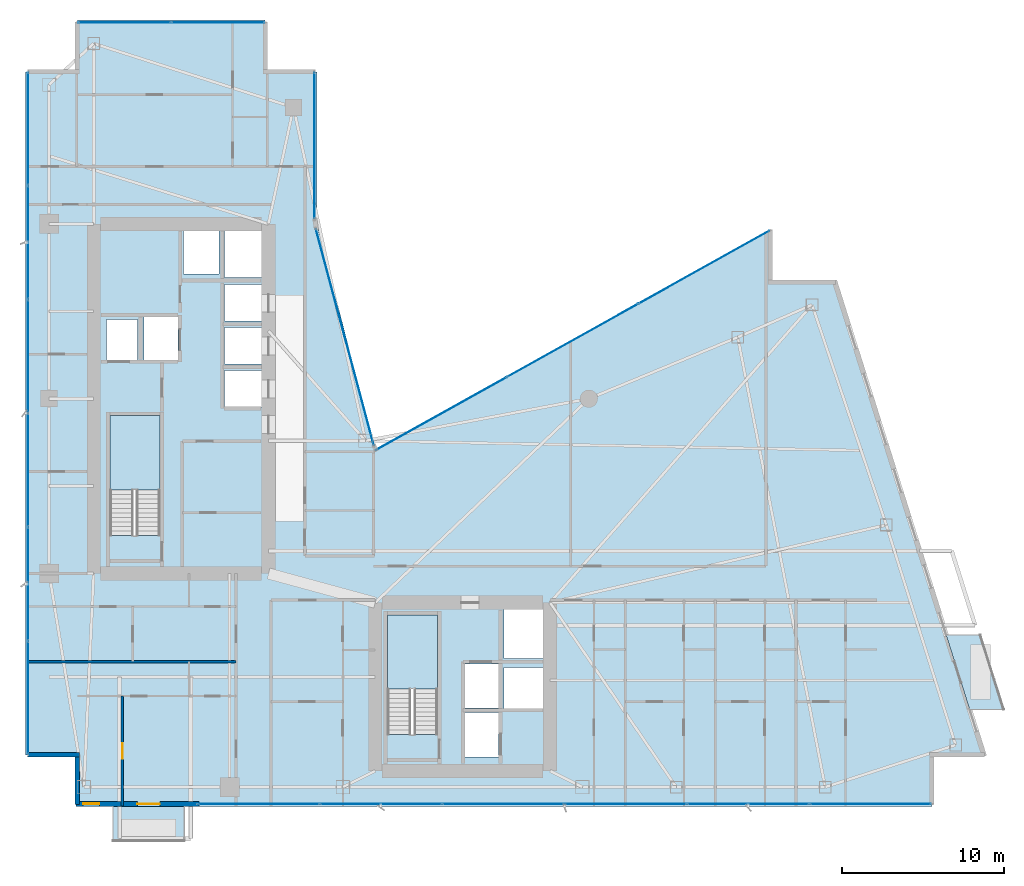
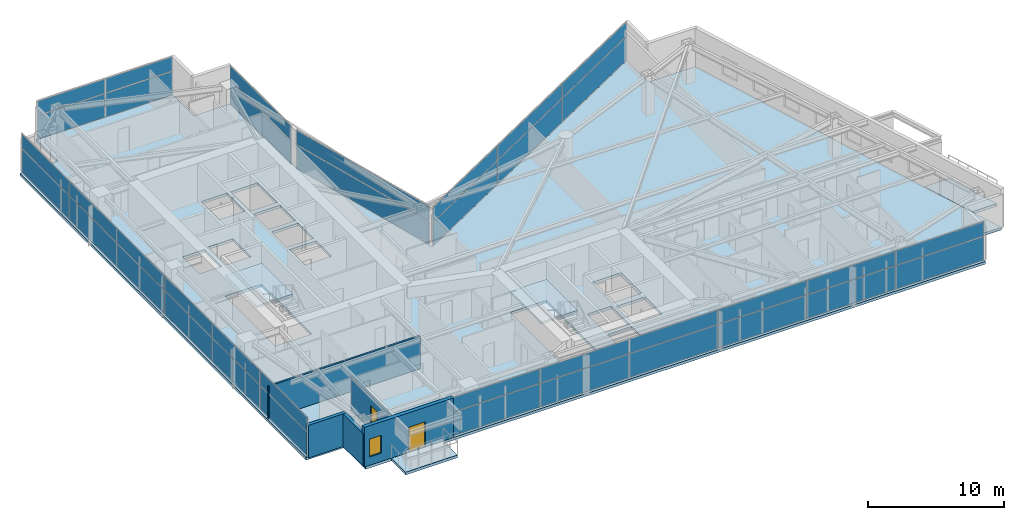
# One storey, part 21 of 29: 38 plates, 5 slabs, 5 walls, 2 doors, 1 window, 3 openings, 8 elements without a shape of their own.
"""IFC4 building model written with IfcOpenShell, lengths in metres."""

import ifcopenshell
import ifcopenshell.guid

model = None  # the IFC model being written
_history = None  # IfcOwnerHistory: only IFC2X3 demands one
_inside = {}  # id of a spatial element -> (the spatial element, [elements in it])
_under = {}  # id of a project, library or spatial element -> (it, [spatial elements below it])
_declared = {}  # id of a project -> (the project, [libraries it declares])
_typed = {}  # id of a type object -> (the type object, [elements of that type])
_made_of = {}  # id of a material, layer set ... -> (it, [elements and type objects made of it])


def new_model(schema):
    """Start an empty IFC model of exactly this schema.

    Asked for "IFC4X3", IfcOpenShell would pick the latest addendum, in which some entities
    have other attributes; the version numbers below select the first issue.
    IFC2X3 requires an IfcOwnerHistory on every rooted entity: one is made here for all.
    """
    global model, _history
    if schema == "IFC4X3":
        model = ifcopenshell.file(schema_version=(4, 3, 0, 0))
    else:
        model = ifcopenshell.file(schema=schema)
    _inside.clear()
    _under.clear()
    _declared.clear()
    _typed.clear()
    _made_of.clear()
    _history = None
    if model.schema == "IFC2X3":
        org = make("IfcOrganization", Name="unknown")
        user = make(
            "IfcPersonAndOrganization",
            ThePerson=make("IfcPerson", FamilyName="unknown"),
            TheOrganization=org,
        )
        app = make(
            "IfcApplication",
            ApplicationDeveloper=org,
            Version="unknown",
            ApplicationFullName="unknown",
            ApplicationIdentifier="unknown",
        )
        _history = make(
            "IfcOwnerHistory",
            OwningUser=user,
            OwningApplication=app,
            ChangeAction="ADDED",
            CreationDate=0,
        )
    return model


def make(cls, **values):
    """One entity of the class cls with the attributes given. An attribute that is None is left unset."""
    return model.create_entity(
        cls, **{name: value for name, value in values.items() if value is not None}
    )


def rooted(cls, **values):
    """An entity with a GlobalId (a new one), such as an element, a storey or a relation."""
    return make(cls, GlobalId=ifcopenshell.guid.new(), OwnerHistory=_history, **values)


def si_unit(unit_type, name, prefix=None):
    """IfcSIUnit, for example si_unit("LENGTHUNIT", "METRE", prefix="MILLI")."""
    return make("IfcSIUnit", UnitType=unit_type, Prefix=prefix, Name=name)


def assignment(units):
    """IfcUnitAssignment: the units of a project."""
    return None if units is None else make("IfcUnitAssignment", Units=units)


def point(xyz):
    """IfcCartesianPoint."""
    return None if xyz is None else make("IfcCartesianPoint", Coordinates=xyz)


def direction(xyz):
    """IfcDirection."""
    return None if xyz is None else make("IfcDirection", DirectionRatios=xyz)


def frame(location, z_axis=None, x_axis=None):
    """IfcAxis2Placement3D, a coordinate frame: its origin and axes. An axis left out is left unset."""
    return make(
        "IfcAxis2Placement3D",
        Location=point(location),
        Axis=direction(z_axis),
        RefDirection=direction(x_axis),
    )


def frame_2d(location, x_axis=None):
    """IfcAxis2Placement2D, a coordinate frame in the plane: its origin and x axis."""
    return make(
        "IfcAxis2Placement2D", Location=point(location), RefDirection=direction(x_axis)
    )


def origin():
    """The frame at (0, 0, 0) with its axes left unset."""
    return frame((0.0, 0.0, 0.0))


def origin_2d():
    """The frame at (0, 0) in the plane with its x axis left unset."""
    return frame_2d((0.0, 0.0))


def place(relative_to, where):
    """IfcLocalPlacement: puts the frame where relative to a parent placement (None: the world)."""
    return make(
        "IfcLocalPlacement", PlacementRelTo=relative_to, RelativePlacement=where
    )


def context(
    kind, dimensions, precision=None, world=None, true_north=None, identifier=None
):
    """IfcGeometricRepresentationContext, for example the 3D "Model" context."""
    return make(
        "IfcGeometricRepresentationContext",
        ContextIdentifier=identifier,
        ContextType=kind,
        CoordinateSpaceDimension=dimensions,
        Precision=precision,
        WorldCoordinateSystem=world,
        TrueNorth=true_north,
    )


def subcontext(parent, identifier, kind, view, scale=None):
    """IfcGeometricRepresentationSubContext, for example "Body" below "Model"."""
    return make(
        "IfcGeometricRepresentationSubContext",
        ContextIdentifier=identifier,
        ContextType=kind,
        ParentContext=parent,
        TargetScale=scale,
        TargetView=view,
    )


def project(units=None, contexts=None):
    """IfcProject with its units and contexts."""
    return rooted(
        "IfcProject",
        Name="project",
        RepresentationContexts=contexts,
        UnitsInContext=assignment(units),
    )


def spatial(cls, under=None, at=None, **own):
    """A site, building, storey or space (cls), placed at a placement, below another one or the project."""
    s = rooted(cls, ObjectPlacement=at, **own)
    if under is not None:
        _under.setdefault(under.id(), (under, []))[1].append(s)
    return s


def polyline(points):
    """IfcPolyline through the points."""
    return make("IfcPolyline", Points=[point(p) for p in points])


def profile(cls, at=None, kind="AREA", **sizes):
    """A parametric profile (cls). Its sizes go by their IFC names, for example OverallWidth=200.0."""
    return make(cls, ProfileType=kind, Position=at, **sizes)


def rectangle(**sizes):
    """IfcRectangleProfileDef."""
    return profile("IfcRectangleProfileDef", **sizes)


def outline(outer, holes=None, kind="AREA"):
    """IfcArbitraryClosedProfileDef: a profile drawn as a closed curve; with holes, ...WithVoids."""
    if holes is None:
        return make("IfcArbitraryClosedProfileDef", ProfileType=kind, OuterCurve=outer)
    return make(
        "IfcArbitraryProfileDefWithVoids",
        ProfileType=kind,
        OuterCurve=outer,
        InnerCurves=holes,
    )


def extrude(swept, where, along, depth):
    """IfcExtrudedAreaSolid: the profile swept, set in the frame where, extruded along a direction by depth."""
    return make(
        "IfcExtrudedAreaSolid",
        SweptArea=swept,
        Position=where,
        ExtrudedDirection=direction(along),
        Depth=depth,
    )


def shape(context_of_items, identifier, shape_type, items):
    """IfcShapeRepresentation: the items that make up one representation, for example the "Body"."""
    return make(
        "IfcShapeRepresentation",
        ContextOfItems=context_of_items,
        RepresentationIdentifier=identifier,
        RepresentationType=shape_type,
        Items=items,
    )


def material(Name=None, Category=None):
    """IfcMaterial."""
    return make("IfcMaterial", Name=Name, Category=Category)


def layer(
    of_material, thickness, ventilated=None, Name=None, Category=None, Priority=None
):
    """IfcMaterialLayer: one layer of a wall or slab, of a material (None: an air gap)."""
    return make(
        "IfcMaterialLayer",
        Material=of_material,
        LayerThickness=thickness,
        IsVentilated=ventilated,
        Name=Name,
        Category=Category,
        Priority=Priority,
    )


def layer_set(layers, Name=None):
    """IfcMaterialLayerSet."""
    return make("IfcMaterialLayerSet", MaterialLayers=layers, LayerSetName=Name)


def made_of(thing, what):
    """Note that an element or type object is made of a material, layer set ...; save() writes the relation."""
    if what is not None:
        _made_of.setdefault(what.id(), (what, []))[1].append(thing)
    return thing


def type_object(cls, material=None, **own):
    """A type object (cls), such as IfcWallType, which elements share."""
    return made_of(rooted(cls, **own), material)


def element(
    cls,
    number,
    at=None,
    inside=None,
    cuts=None,
    type_object=None,
    material=None,
    context=None,
    identifier="Body",
    shape_type=None,
    held_by="IfcProductDefinitionShape",
    body=None,
    shapes=None,
    **own,
):
    """One element of the class cls, such as IfcWall. Its Tag is "e" and its number.

    at: its placement. inside: the storey or other place that contains it. cuts: it is an
    opening in that element (IfcRelVoidsElement). A single representation is given by context,
    identifier, shape_type and body (its items); several are given by shapes. held_by: the class
    of the entity that holds the representations. save() writes the other relations.
    """
    e = rooted(cls, Tag="e%d" % number, ObjectPlacement=at, **own)
    if body is not None:
        shapes = [shape(context, identifier, shape_type, body)]
    if shapes is not None:
        e.Representation = make(held_by, Representations=shapes)
    if inside is not None:
        _inside.setdefault(inside.id(), (inside, []))[1].append(e)
    if cuts is not None:
        rooted(
            "IfcRelVoidsElement", RelatingBuildingElement=cuts, RelatedOpeningElement=e
        )
    if type_object is not None:
        _typed.setdefault(type_object.id(), (type_object, []))[1].append(e)
    return made_of(e, material)


def fill(opening, filler):
    """IfcRelFillsElement: the door or window that sits in an opening."""
    return rooted(
        "IfcRelFillsElement",
        RelatingOpeningElement=opening,
        RelatedBuildingElement=filler,
    )


def aggregate(whole, parts):
    """IfcRelAggregates: a whole, such as a stair, and the parts it consists of."""
    return rooted("IfcRelAggregates", RelatingObject=whole, RelatedObjects=parts)


def save(model, path):
    """Write the relations noted so far, then the file.

    IfcRelAggregates (storeys below a building ...), IfcRelContainedInSpatialStructure (elements
    in a storey), IfcRelDefinesByType, IfcRelAssociatesMaterial and IfcRelDeclares: one each for
    every whole, place, type object, material and project.
    """
    for whole, parts in _under.values():
        aggregate(whole, parts)
    for where, things in _inside.values():
        rooted(
            "IfcRelContainedInSpatialStructure",
            RelatedElements=things,
            RelatingStructure=where,
        )
    for kind, things in _typed.values():
        rooted("IfcRelDefinesByType", RelatedObjects=things, RelatingType=kind)
    for what, things in _made_of.values():
        rooted("IfcRelAssociatesMaterial", RelatedObjects=things, RelatingMaterial=what)
    for by, libraries in _declared.values():
        rooted("IfcRelDeclares", RelatingContext=by, RelatedDefinitions=libraries)
    model.write(path)


model = new_model("IFC4")

# Units and contexts
model_context = context("Model", 3, precision=1e-05, world=origin(), true_north=direction((0.0, 1.0)))
body_context = subcontext(model_context, "Body", "Model", "MODEL_VIEW")
ifc_project = project(units=[si_unit("LENGTHUNIT", "METRE"), si_unit("AREAUNIT", "SQUARE_METRE"), si_unit("VOLUMEUNIT", "CUBIC_METRE"), si_unit("PLANEANGLEUNIT", "RADIAN"), si_unit("MASSUNIT", "GRAM", prefix="KILO")], contexts=[model_context])

# Site, building, storey
site_placement = place(None, origin())
site = spatial("IfcSite", under=ifc_project, at=site_placement, CompositionType="ELEMENT")
building_placement = place(site_placement, origin())
building = spatial("IfcBuilding", under=site, at=building_placement, Name="Calvorn Quay Hotel", CompositionType="ELEMENT")
storey_placement = place(building_placement, frame((0.0, 0.0, 171.300048828125)))
storey = spatial("IfcBuildingStorey", under=building, at=storey_placement, Name="L42", CompositionType="ELEMENT", Elevation=171.300048828125)

# Curtain wall, plates
ifc_material_1 = material(Name="Pale Anodised Aluminium and Low-E Glass", Category="aluminium")
ifc_layer_1 = layer(ifc_material_1, 0.219970703125)
ifc_layer_set_1 = layer_set([ifc_layer_1], Name="CW-SYS-Z2")
curtain_wall_type = type_object("IfcCurtainWallType", Name="CW-SYS-Z2", PredefinedType="NOTDEFINED", material=ifc_layer_set_1)
curtain_wall_1_placement = place(storey_placement, origin())
curtain_wall_1 = element("IfcCurtainWall", 1, at=curtain_wall_1_placement, inside=storey, type_object=curtain_wall_type, Name="Tower West Curtain Wall (L42)", PredefinedType="NOTDEFINED")
ifc_material_2 = material(Name="Low-E Laminated Double Glazing", Category="glass")
ifc_layer_2 = layer(ifc_material_2, 0.028076171875)
ifc_layer_set_2 = layer_set([ifc_layer_2], Name="CW-SYS-Z2-PAN")
plate_type = type_object("IfcPlateType", Name="CW-SYS-Z2-PAN", PredefinedType="CURTAIN_PANEL", material=ifc_layer_set_2)
plate_1_placement = place(storey_placement, frame((0.14990234375, 9.131591796875, 0.06005859375), z_axis=(0.0, 0.0, 1.0), x_axis=(0.0, 1.0, 0.0)))
plate_1 = element("IfcPlate", 2, at=plate_1_placement, type_object=plate_type, Name="CW-L42-W panel 1.1", PredefinedType="CURTAIN_PANEL", context=body_context, shape_type="SweptSolid", body=[
    extrude(rectangle(XDim=6.943359375, YDim=0.028076171875, at=origin_2d()), origin(), (0.0, 0.0, 1.0), 2.110107421875),
])
plate_2_placement = place(storey_placement, frame((0.14990234375, 9.131591796875, 2.22998046875), z_axis=(0.0, 0.0, 1.0), x_axis=(0.0, 1.0, 0.0)))
plate_2 = element("IfcPlate", 3, at=plate_2_placement, type_object=plate_type, Name="CW-L42-W panel 1.2", PredefinedType="CURTAIN_PANEL", context=body_context, shape_type="SweptSolid", body=[
    extrude(rectangle(XDim=6.943359375, YDim=0.028076171875, at=origin_2d()), origin(), (0.0, 0.0, 1.0), 1.27001953125),
])
plate_3_placement = place(storey_placement, frame((0.14990234375, 16.14990234375, 0.06005859375), z_axis=(0.0, 0.0, 1.0), x_axis=(0.0, 1.0, 0.0)))
plate_3 = element("IfcPlate", 4, at=plate_3_placement, type_object=plate_type, Name="CW-L42-W panel 2.1", PredefinedType="CURTAIN_PANEL", context=body_context, shape_type="SweptSolid", body=[
    extrude(rectangle(XDim=6.973388671875, YDim=0.028076171875, at=origin_2d()), origin(), (0.0, 0.0, 1.0), 2.110107421875),
])
plate_4_placement = place(storey_placement, frame((0.14990234375, 16.14990234375, 2.22998046875), z_axis=(0.0, 0.0, 1.0), x_axis=(0.0, 1.0, 0.0)))
plate_4 = element("IfcPlate", 5, at=plate_4_placement, type_object=plate_type, Name="CW-L42-W panel 2.2", PredefinedType="CURTAIN_PANEL", context=body_context, shape_type="SweptSolid", body=[
    extrude(rectangle(XDim=6.973388671875, YDim=0.028076171875, at=origin_2d()), origin(), (0.0, 0.0, 1.0), 1.27001953125),
])
plate_5_placement = place(storey_placement, frame((0.14990234375, 23.183349609375, 0.06005859375), z_axis=(0.0, 0.0, 1.0), x_axis=(0.0, 1.0, 0.0)))
plate_5 = element("IfcPlate", 6, at=plate_5_placement, type_object=plate_type, Name="CW-L42-W panel 3.1", PredefinedType="CURTAIN_PANEL", context=body_context, shape_type="SweptSolid", body=[
    extrude(rectangle(XDim=6.973388671875, YDim=0.028076171875, at=origin_2d()), origin(), (0.0, 0.0, 1.0), 2.110107421875),
])
plate_6_placement = place(storey_placement, frame((0.14990234375, 23.183349609375, 2.22998046875), z_axis=(0.0, 0.0, 1.0), x_axis=(0.0, 1.0, 0.0)))
plate_6 = element("IfcPlate", 7, at=plate_6_placement, type_object=plate_type, Name="CW-L42-W panel 3.2", PredefinedType="CURTAIN_PANEL", context=body_context, shape_type="SweptSolid", body=[
    extrude(rectangle(XDim=6.973388671875, YDim=0.028076171875, at=origin_2d()), origin(), (0.0, 0.0, 1.0), 1.27001953125),
])
plate_7_placement = place(storey_placement, frame((0.14990234375, 30.216552734375, 0.06005859375), z_axis=(0.0, 0.0, 1.0), x_axis=(0.0, 1.0, 0.0)))
plate_7 = element("IfcPlate", 8, at=plate_7_placement, type_object=plate_type, Name="CW-L42-W panel 4.1", PredefinedType="CURTAIN_PANEL", context=body_context, shape_type="SweptSolid", body=[
    extrude(rectangle(XDim=6.973388671875, YDim=0.028076171875, at=origin_2d()), origin(), (0.0, 0.0, 1.0), 2.110107421875),
])
plate_8_placement = place(storey_placement, frame((0.14990234375, 30.216552734375, 2.22998046875), z_axis=(0.0, 0.0, 1.0), x_axis=(0.0, 1.0, 0.0)))
plate_8 = element("IfcPlate", 9, at=plate_8_placement, type_object=plate_type, Name="CW-L42-W panel 4.2", PredefinedType="CURTAIN_PANEL", context=body_context, shape_type="SweptSolid", body=[
    extrude(rectangle(XDim=6.973388671875, YDim=0.028076171875, at=origin_2d()), origin(), (0.0, 0.0, 1.0), 1.27001953125),
])
plate_9_placement = place(storey_placement, frame((0.14990234375, 37.25, 0.06005859375), z_axis=(0.0, 0.0, 1.0), x_axis=(0.0, 1.0, 0.0)))
plate_9 = element("IfcPlate", 10, at=plate_9_placement, type_object=plate_type, Name="CW-L42-W panel 5.1", PredefinedType="CURTAIN_PANEL", context=body_context, shape_type="SweptSolid", body=[
    extrude(rectangle(XDim=6.973388671875, YDim=0.028076171875, at=origin_2d()), origin(), (0.0, 0.0, 1.0), 2.110107421875),
])
plate_10_placement = place(storey_placement, frame((0.14990234375, 37.25, 2.22998046875), z_axis=(0.0, 0.0, 1.0), x_axis=(0.0, 1.0, 0.0)))
plate_10 = element("IfcPlate", 11, at=plate_10_placement, type_object=plate_type, Name="CW-L42-W panel 5.2", PredefinedType="CURTAIN_PANEL", context=body_context, shape_type="SweptSolid", body=[
    extrude(rectangle(XDim=6.973388671875, YDim=0.028076171875, at=origin_2d()), origin(), (0.0, 0.0, 1.0), 1.27001953125),
])
plate_11_placement = place(storey_placement, frame((0.14990234375, 44.268310546875, 0.06005859375), z_axis=(0.0, 0.0, 1.0), x_axis=(0.0, 1.0, 0.0)))
plate_11 = element("IfcPlate", 12, at=plate_11_placement, type_object=plate_type, Name="CW-L42-W panel 6.1", PredefinedType="CURTAIN_PANEL", context=body_context, shape_type="SweptSolid", body=[
    extrude(rectangle(XDim=6.943359375, YDim=0.028076171875, at=origin_2d()), origin(), (0.0, 0.0, 1.0), 2.110107421875),
])
plate_12_placement = place(storey_placement, frame((0.14990234375, 44.268310546875, 2.22998046875), z_axis=(0.0, 0.0, 1.0), x_axis=(0.0, 1.0, 0.0)))
plate_12 = element("IfcPlate", 13, at=plate_12_placement, type_object=plate_type, Name="CW-L42-W panel 6.2", PredefinedType="CURTAIN_PANEL", context=body_context, shape_type="SweptSolid", body=[
    extrude(rectangle(XDim=6.943359375, YDim=0.028076171875, at=origin_2d()), origin(), (0.0, 0.0, 1.0), 1.27001953125),
])
aggregate(curtain_wall_1, [plate_1, plate_2, plate_3, plate_4, plate_5, plate_6, plate_7, plate_8, plate_9, plate_10, plate_11, plate_12])

curtain_wall_2_placement = place(storey_placement, origin())
curtain_wall_2 = element("IfcCurtainWall", 14, at=curtain_wall_2_placement, inside=storey, type_object=curtain_wall_type, Name="Tower South Waterfront Curtain Wall (L42)", PredefinedType="NOTDEFINED")
plate_13_placement = place(storey_placement, frame((14.3984375, 2.550048828125, 0.06005859375), z_axis=(0.0, 0.0, 1.0), x_axis=(1.0, 0.0, 0.0)))
plate_13 = element("IfcPlate", 15, at=plate_13_placement, type_object=plate_type, Name="CW-L42-S panel 1.1", PredefinedType="CURTAIN_PANEL", context=body_context, shape_type="SweptSolid", body=[
    extrude(rectangle(XDim=7.4765625, YDim=0.028076171875, at=origin_2d()), origin(), (0.0, 0.0, 1.0), 2.110107421875),
])
plate_14_placement = place(storey_placement, frame((14.3984375, 2.550048828125, 2.22998046875), z_axis=(0.0, 0.0, 1.0), x_axis=(1.0, 0.0, 0.0)))
plate_14 = element("IfcPlate", 16, at=plate_14_placement, type_object=plate_type, Name="CW-L42-S panel 1.2", PredefinedType="CURTAIN_PANEL", context=body_context, shape_type="SweptSolid", body=[
    extrude(rectangle(XDim=7.4765625, YDim=0.028076171875, at=origin_2d()), origin(), (0.0, 0.0, 1.0), 1.27001953125),
])
plate_15_placement = place(storey_placement, frame((21.949951171875, 2.550048828125, 0.06005859375), z_axis=(0.0, 0.0, 1.0), x_axis=(1.0, 0.0, 0.0)))
plate_15 = element("IfcPlate", 17, at=plate_15_placement, type_object=plate_type, Name="CW-L42-S panel 2.1", PredefinedType="CURTAIN_PANEL", context=body_context, shape_type="SweptSolid", body=[
    extrude(rectangle(XDim=7.506591796875, YDim=0.028076171875, at=origin_2d()), origin(), (0.0, 0.0, 1.0), 2.110107421875),
])
plate_16_placement = place(storey_placement, frame((21.949951171875, 2.550048828125, 2.22998046875), z_axis=(0.0, 0.0, 1.0), x_axis=(1.0, 0.0, 0.0)))
plate_16 = element("IfcPlate", 18, at=plate_16_placement, type_object=plate_type, Name="CW-L42-S panel 2.2", PredefinedType="CURTAIN_PANEL", context=body_context, shape_type="SweptSolid", body=[
    extrude(rectangle(XDim=7.506591796875, YDim=0.028076171875, at=origin_2d()), origin(), (0.0, 0.0, 1.0), 1.27001953125),
])
plate_17_placement = place(storey_placement, frame((29.5166015625, 2.550048828125, 0.06005859375), z_axis=(0.0, 0.0, 1.0), x_axis=(1.0, 0.0, 0.0)))
plate_17 = element("IfcPlate", 19, at=plate_17_placement, type_object=plate_type, Name="CW-L42-S panel 3.1", PredefinedType="CURTAIN_PANEL", context=body_context, shape_type="SweptSolid", body=[
    extrude(rectangle(XDim=7.506591796875, YDim=0.028076171875, at=origin_2d()), origin(), (0.0, 0.0, 1.0), 2.110107421875),
])
plate_18_placement = place(storey_placement, frame((29.5166015625, 2.550048828125, 2.22998046875), z_axis=(0.0, 0.0, 1.0), x_axis=(1.0, 0.0, 0.0)))
plate_18 = element("IfcPlate", 20, at=plate_18_placement, type_object=plate_type, Name="CW-L42-S panel 3.2", PredefinedType="CURTAIN_PANEL", context=body_context, shape_type="SweptSolid", body=[
    extrude(rectangle(XDim=7.506591796875, YDim=0.028076171875, at=origin_2d()), origin(), (0.0, 0.0, 1.0), 1.27001953125),
])
plate_19_placement = place(storey_placement, frame((37.083251953125, 2.550048828125, 0.06005859375), z_axis=(0.0, 0.0, 1.0), x_axis=(1.0, 0.0, 0.0)))
plate_19 = element("IfcPlate", 21, at=plate_19_placement, type_object=plate_type, Name="CW-L42-S panel 4.1", PredefinedType="CURTAIN_PANEL", context=body_context, shape_type="SweptSolid", body=[
    extrude(rectangle(XDim=7.506591796875, YDim=0.028076171875, at=origin_2d()), origin(), (0.0, 0.0, 1.0), 2.110107421875),
])
plate_20_placement = place(storey_placement, frame((37.083251953125, 2.550048828125, 2.22998046875), z_axis=(0.0, 0.0, 1.0), x_axis=(1.0, 0.0, 0.0)))
plate_20 = element("IfcPlate", 22, at=plate_20_placement, type_object=plate_type, Name="CW-L42-S panel 4.2", PredefinedType="CURTAIN_PANEL", context=body_context, shape_type="SweptSolid", body=[
    extrude(rectangle(XDim=7.506591796875, YDim=0.028076171875, at=origin_2d()), origin(), (0.0, 0.0, 1.0), 1.27001953125),
])
plate_21_placement = place(storey_placement, frame((44.64990234375, 2.550048828125, 0.06005859375), z_axis=(0.0, 0.0, 1.0), x_axis=(1.0, 0.0, 0.0)))
plate_21 = element("IfcPlate", 23, at=plate_21_placement, type_object=plate_type, Name="CW-L42-S panel 5.1", PredefinedType="CURTAIN_PANEL", context=body_context, shape_type="SweptSolid", body=[
    extrude(rectangle(XDim=7.506591796875, YDim=0.028076171875, at=origin_2d()), origin(), (0.0, 0.0, 1.0), 2.110107421875),
])
plate_22_placement = place(storey_placement, frame((44.64990234375, 2.550048828125, 2.22998046875), z_axis=(0.0, 0.0, 1.0), x_axis=(1.0, 0.0, 0.0)))
plate_22 = element("IfcPlate", 24, at=plate_22_placement, type_object=plate_type, Name="CW-L42-S panel 5.2", PredefinedType="CURTAIN_PANEL", context=body_context, shape_type="SweptSolid", body=[
    extrude(rectangle(XDim=7.506591796875, YDim=0.028076171875, at=origin_2d()), origin(), (0.0, 0.0, 1.0), 1.27001953125),
])
plate_23_placement = place(storey_placement, frame((52.20166015625, 2.550048828125, 0.06005859375), z_axis=(0.0, 0.0, 1.0), x_axis=(1.0, 0.0, 0.0)))
plate_23 = element("IfcPlate", 25, at=plate_23_placement, type_object=plate_type, Name="CW-L42-S panel 6.1", PredefinedType="CURTAIN_PANEL", context=body_context, shape_type="SweptSolid", body=[
    extrude(rectangle(XDim=7.4765625, YDim=0.028076171875, at=origin_2d()), origin(), (0.0, 0.0, 1.0), 2.110107421875),
])
plate_24_placement = place(storey_placement, frame((52.20166015625, 2.550048828125, 2.22998046875), z_axis=(0.0, 0.0, 1.0), x_axis=(1.0, 0.0, 0.0)))
plate_24 = element("IfcPlate", 26, at=plate_24_placement, type_object=plate_type, Name="CW-L42-S panel 6.2", PredefinedType="CURTAIN_PANEL", context=body_context, shape_type="SweptSolid", body=[
    extrude(rectangle(XDim=7.4765625, YDim=0.028076171875, at=origin_2d()), origin(), (0.0, 0.0, 1.0), 1.27001953125),
])
aggregate(curtain_wall_2, [plate_13, plate_14, plate_15, plate_16, plate_17, plate_18, plate_19, plate_20, plate_21, plate_22, plate_23, plate_24])

curtain_wall_3_placement = place(storey_placement, origin())
curtain_wall_3 = element("IfcCurtainWall", 27, at=curtain_wall_3_placement, inside=storey, type_object=curtain_wall_type, Name="Inner Court Curtain Wall L42-NE1", PredefinedType="NOTDEFINED")
plate_25_placement = place(storey_placement, frame((41.920166015625, 35.72607421875, 0.06005859375), z_axis=(0.0, 0.0, 1.0), x_axis=(-0.873480989116, -0.486858256224, 0.0)))
plate_25 = element("IfcPlate", 28, at=plate_25_placement, type_object=plate_type, Name="CW-L42-NE1 panel 1.1", PredefinedType="CURTAIN_PANEL", context=body_context, shape_type="SweptSolid", body=[
    extrude(rectangle(XDim=9.221435546875, YDim=0.028076171875, at=origin_2d()), origin(), (0.0, 0.0, 1.0), 2.110107421875),
])
plate_26_placement = place(storey_placement, frame((41.920166015625, 35.72607421875, 2.22998046875), z_axis=(0.0, 0.0, 1.0), x_axis=(-0.873480989116, -0.486858256224, 0.0)))
plate_26 = element("IfcPlate", 29, at=plate_26_placement, type_object=plate_type, Name="CW-L42-NE1 panel 1.2", PredefinedType="CURTAIN_PANEL", context=body_context, shape_type="SweptSolid", body=[
    extrude(rectangle(XDim=9.221435546875, YDim=0.028076171875, at=origin_2d()), origin(), (0.0, 0.0, 1.0), 1.27001953125),
])
plate_27_placement = place(storey_placement, frame((33.800048828125, 31.199951171875, 0.06005859375), z_axis=(0.0, 0.0, 1.0), x_axis=(-0.873480989116, -0.486858256224, 0.0)))
plate_27 = element("IfcPlate", 30, at=plate_27_placement, type_object=plate_type, Name="CW-L42-NE1 panel 2.1", PredefinedType="CURTAIN_PANEL", context=body_context, shape_type="SweptSolid", body=[
    extrude(rectangle(XDim=9.25146484375, YDim=0.028076171875, at=origin_2d()), origin(), (0.0, 0.0, 1.0), 2.110107421875),
])
plate_28_placement = place(storey_placement, frame((33.800048828125, 31.199951171875, 2.22998046875), z_axis=(0.0, 0.0, 1.0), x_axis=(-0.873480989116, -0.486858256224, 0.0)))
plate_28 = element("IfcPlate", 31, at=plate_28_placement, type_object=plate_type, Name="CW-L42-NE1 panel 2.2", PredefinedType="CURTAIN_PANEL", context=body_context, shape_type="SweptSolid", body=[
    extrude(rectangle(XDim=9.25146484375, YDim=0.028076171875, at=origin_2d()), origin(), (0.0, 0.0, 1.0), 1.27001953125),
])
plate_29_placement = place(storey_placement, frame((25.6796875, 26.674072265625, 0.06005859375), z_axis=(0.0, 0.0, 1.0), x_axis=(-0.873480989116, -0.486858256224, 0.0)))
plate_29 = element("IfcPlate", 32, at=plate_29_placement, type_object=plate_type, Name="CW-L42-NE1 panel 3.1", PredefinedType="CURTAIN_PANEL", context=body_context, shape_type="SweptSolid", body=[
    extrude(rectangle(XDim=9.221435546875, YDim=0.028076171875, at=origin_2d()), origin(), (0.0, 0.0, 1.0), 2.110107421875),
])
plate_30_placement = place(storey_placement, frame((25.6796875, 26.674072265625, 2.22998046875), z_axis=(0.0, 0.0, 1.0), x_axis=(-0.873480989116, -0.486858256224, 0.0)))
plate_30 = element("IfcPlate", 33, at=plate_30_placement, type_object=plate_type, Name="CW-L42-NE1 panel 3.2", PredefinedType="CURTAIN_PANEL", context=body_context, shape_type="SweptSolid", body=[
    extrude(rectangle(XDim=9.221435546875, YDim=0.028076171875, at=origin_2d()), origin(), (0.0, 0.0, 1.0), 1.27001953125),
])
aggregate(curtain_wall_3, [plate_25, plate_26, plate_27, plate_28, plate_29, plate_30])

curtain_wall_4_placement = place(storey_placement, origin())
curtain_wall_4 = element("IfcCurtainWall", 34, at=curtain_wall_4_placement, inside=storey, type_object=curtain_wall_type, Name="Inner Court Curtain Wall L42-IC1", PredefinedType="NOTDEFINED")
plate_31_placement = place(storey_placement, frame((19.72509765625, 31.39990234375, 0.06005859375), z_axis=(0.0, 0.0, 1.0), x_axis=(-0.25877913024, 0.96593652056, 0.0)))
plate_31 = element("IfcPlate", 35, at=plate_31_placement, type_object=plate_type, Name="CW-L42-IC1 panel 1.1", PredefinedType="CURTAIN_PANEL", context=body_context, shape_type="SweptSolid", body=[
    extrude(rectangle(XDim=13.814697265625, YDim=0.028076171875, at=origin_2d()), origin(), (0.0, 0.0, 1.0), 2.110107421875),
])
plate_32_placement = place(storey_placement, frame((19.72509765625, 31.39990234375, 2.22998046875), z_axis=(0.0, 0.0, 1.0), x_axis=(-0.25877913024, 0.96593652056, 0.0)))
plate_32 = element("IfcPlate", 36, at=plate_32_placement, type_object=plate_type, Name="CW-L42-IC1 panel 1.2", PredefinedType="CURTAIN_PANEL", context=body_context, shape_type="SweptSolid", body=[
    extrude(rectangle(XDim=13.814697265625, YDim=0.028076171875, at=origin_2d()), origin(), (0.0, 0.0, 1.0), 1.27001953125),
])
aggregate(curtain_wall_4, [plate_31, plate_32])

curtain_wall_5_placement = place(storey_placement, origin())
curtain_wall_5 = element("IfcCurtainWall", 37, at=curtain_wall_5_placement, inside=storey, type_object=curtain_wall_type, Name="Inner Court Curtain Wall L42-IC2", PredefinedType="NOTDEFINED")
plate_33_placement = place(storey_placement, frame((17.85009765625, 43.239990234375, 0.06005859375), z_axis=(0.0, 0.0, 1.0), x_axis=(0.0, 1.0, 0.0)))
plate_33 = element("IfcPlate", 38, at=plate_33_placement, type_object=plate_type, Name="CW-L42-IC2 panel 1.1", PredefinedType="CURTAIN_PANEL", context=body_context, shape_type="SweptSolid", body=[
    extrude(rectangle(XDim=9.0, YDim=0.028076171875, at=origin_2d()), origin(), (0.0, 0.0, 1.0), 2.110107421875),
])
plate_34_placement = place(storey_placement, frame((17.85009765625, 43.239990234375, 2.22998046875), z_axis=(0.0, 0.0, 1.0), x_axis=(0.0, 1.0, 0.0)))
plate_34 = element("IfcPlate", 39, at=plate_34_placement, type_object=plate_type, Name="CW-L42-IC2 panel 1.2", PredefinedType="CURTAIN_PANEL", context=body_context, shape_type="SweptSolid", body=[
    extrude(rectangle(XDim=9.0, YDim=0.028076171875, at=origin_2d()), origin(), (0.0, 0.0, 1.0), 1.27001953125),
])
aggregate(curtain_wall_5, [plate_33, plate_34])

curtain_wall_6_placement = place(storey_placement, origin())
curtain_wall_6 = element("IfcCurtainWall", 40, at=curtain_wall_6_placement, inside=storey, type_object=curtain_wall_type, Name="Inner Court Curtain Wall L42-N1", PredefinedType="NOTDEFINED")
plate_35_placement = place(storey_placement, frame((11.885009765625, 50.85009765625, 0.06005859375), z_axis=(0.0, 0.0, 1.0), x_axis=(-1.0, 0.0, 0.0)))
plate_35 = element("IfcPlate", 41, at=plate_35_placement, type_object=plate_type, Name="CW-L42-N1 panel 1.1", PredefinedType="CURTAIN_PANEL", context=body_context, shape_type="SweptSolid", body=[
    extrude(rectangle(XDim=5.7099609375, YDim=0.028076171875, at=origin_2d()), origin(), (0.0, 0.0, 1.0), 2.110107421875),
])
plate_36_placement = place(storey_placement, frame((11.885009765625, 50.85009765625, 2.22998046875), z_axis=(0.0, 0.0, 1.0), x_axis=(-1.0, 0.0, 0.0)))
plate_36 = element("IfcPlate", 42, at=plate_36_placement, type_object=plate_type, Name="CW-L42-N1 panel 1.2", PredefinedType="CURTAIN_PANEL", context=body_context, shape_type="SweptSolid", body=[
    extrude(rectangle(XDim=5.7099609375, YDim=0.028076171875, at=origin_2d()), origin(), (0.0, 0.0, 1.0), 1.27001953125),
])
plate_37_placement = place(storey_placement, frame((6.114990234375, 50.85009765625, 0.06005859375), z_axis=(0.0, 0.0, 1.0), x_axis=(-1.0, 0.0, 0.0)))
plate_37 = element("IfcPlate", 43, at=plate_37_placement, type_object=plate_type, Name="CW-L42-N1 panel 2.1", PredefinedType="CURTAIN_PANEL", context=body_context, shape_type="SweptSolid", body=[
    extrude(rectangle(XDim=5.7099609375, YDim=0.028076171875, at=origin_2d()), origin(), (0.0, 0.0, 1.0), 2.110107421875),
])
plate_38_placement = place(storey_placement, frame((6.114990234375, 50.85009765625, 2.22998046875), z_axis=(0.0, 0.0, 1.0), x_axis=(-1.0, 0.0, 0.0)))
plate_38 = element("IfcPlate", 44, at=plate_38_placement, type_object=plate_type, Name="CW-L42-N1 panel 2.2", PredefinedType="CURTAIN_PANEL", context=body_context, shape_type="SweptSolid", body=[
    extrude(rectangle(XDim=5.7099609375, YDim=0.028076171875, at=origin_2d()), origin(), (0.0, 0.0, 1.0), 1.27001953125),
])
aggregate(curtain_wall_6, [plate_35, plate_36, plate_37, plate_38])

# Slabs
ifc_material_3 = material(Name="Concrete C40", Category="concrete")
ifc_layer_3 = layer(ifc_material_3, 0.239990234375)
ifc_layer_set_3 = layer_set([ifc_layer_3], Name="SLB-BALCONY-220")
slab_type_1 = type_object("IfcSlabType", Name="SLB-BALCONY-220", PredefinedType="FLOOR", material=ifc_layer_set_3)
slab_1_placement = place(storey_placement, frame((0.0, 0.0, -0.239990234375)))
element("IfcSlab", 45, at=slab_1_placement, inside=storey, type_object=slab_type_1, Name="Tree Balcony Slab L42-BALC-E", PredefinedType="FLOOR", context=body_context, shape_type="SweptSolid", body=[
    extrude(outline(polyline([(58.327880859375, 8.39990234375), (60.427978515625, 8.39990234375), (58.97802734375, 13.0), (56.8779296875, 13.0), (58.327880859375, 8.39990234375)])), origin(), (0.0, 0.0, 1.0), 0.239990234375),
])
slab_2_placement = place(storey_placement, frame((0.0, 0.0, -0.239990234375)))
element("IfcSlab", 46, at=slab_2_placement, inside=storey, type_object=slab_type_1, Name="Tree Balcony Slab L42-BALC-S", PredefinedType="FLOOR", context=body_context, shape_type="SweptSolid", body=[
    extrude(outline(polyline([(5.39990234375, 0.2900390625), (9.800048828125, 0.2900390625), (9.800048828125, 2.389892578125), (5.39990234375, 2.389892578125), (5.39990234375, 0.2900390625)])), origin(), (0.0, 0.0, 1.0), 0.239990234375),
])

# Stair, slab
ifc_material_4 = material(Name="Concrete C40", Category="concrete")
stair_type = type_object("IfcStairType", Name="STR-CORE-DOGLEG", PredefinedType="HALF_TURN_STAIR", material=ifc_material_4)
stair_1_placement = place(storey_placement, origin())
stair_1 = element("IfcStair", 47, at=stair_1_placement, inside=storey, type_object=stair_type, Name="L42 ST-W", PredefinedType="HALF_TURN_STAIR")
ifc_material_5 = material(Name="Concrete C40", Category="concrete")
ifc_layer_4 = layer(ifc_material_5, 0.199951171875)
ifc_layer_set_4 = layer_set([ifc_layer_4], Name="SLB-STAIR-LANDING-200")
slab_type_2 = type_object("IfcSlabType", Name="SLB-STAIR-LANDING-200", PredefinedType="LANDING", material=ifc_layer_set_4)
slab_3_placement = place(storey_placement, frame((0.0, 0.0, 1.699951171875)))
slab_3 = element("IfcSlab", 48, at=slab_3_placement, type_object=slab_type_2, Name="ST-W landing 1", PredefinedType="LANDING", context=body_context, shape_type="SweptSolid", body=[
    extrude(outline(polyline([(8.300048828125, 21.949951171875), (8.300048828125, 26.550048828125), (5.199951171875, 26.550048828125), (5.199951171875, 21.949951171875), (8.300048828125, 21.949951171875)])), origin(), (0.0, 0.0, 1.0), 0.199951171875),
])
aggregate(stair_1, [slab_3])

stair_2_placement = place(storey_placement, origin())
stair_2 = element("IfcStair", 49, at=stair_2_placement, inside=storey, type_object=stair_type, Name="L42 ST-E", PredefinedType="HALF_TURN_STAIR")
slab_4_placement = place(storey_placement, frame((0.0, 0.0, 1.699951171875)))
slab_4 = element("IfcSlab", 50, at=slab_4_placement, type_object=slab_type_2, Name="ST-E landing 1", PredefinedType="LANDING", context=body_context, shape_type="SweptSolid", body=[
    extrude(outline(polyline([(25.449951171875, 9.64990234375), (25.449951171875, 14.25), (22.35009765625, 14.25), (22.35009765625, 9.64990234375), (25.449951171875, 9.64990234375)])), origin(), (0.0, 0.0, 1.0), 0.199951171875),
])
aggregate(stair_2, [slab_4])

# Slab
ifc_material_6 = material(Name="Concrete C40", Category="concrete")
ifc_layer_5 = layer(ifc_material_6, 0.239990234375)
ifc_layer_set_5 = layer_set([ifc_layer_5], Name="SLB-TOWER-240")
slab_type_3 = type_object("IfcSlabType", Name="SLB-TOWER-240", PredefinedType="FLOOR", material=ifc_layer_set_5)
slab_5_placement = place(storey_placement, frame((0.0, 0.0, -0.239990234375)))
element("IfcSlab", 51, at=slab_5_placement, inside=storey, type_object=slab_type_3, Name="L42 Structural Floor Slab", PredefinedType="FLOOR", context=body_context, shape_type="SweptSolid", body=[
    extrude(outline(polyline([(0.0, 5.60009765625), (3.199951171875, 5.60009765625), (3.199951171875, 2.39990234375), (56.0, 2.39990234375), (56.0, 5.60009765625), (59.199951171875, 5.60009765625), (50.0, 34.800048828125), (46.0, 34.800048828125), (46.0, 38.0), (21.60009765625, 24.39990234375), (18.0, 38.39990234375), (18.0, 47.800048828125), (14.800048828125, 47.800048828125), (14.800048828125, 51.0), (3.199951171875, 51.0), (3.199951171875, 47.800048828125), (0.0, 47.800048828125), (0.0, 5.60009765625)]), holes=[polyline([(5.199951171875, 19.156005859375), (8.300048828125, 19.156005859375), (8.300048828125, 26.550048828125), (5.199951171875, 26.550048828125), (5.199951171875, 19.156005859375)]), polyline([(22.35009765625, 6.85595703125), (25.449951171875, 6.85595703125), (25.449951171875, 14.25), (22.35009765625, 14.25), (22.35009765625, 6.85595703125)]), polyline([(5.0, 30.0), (6.89990234375, 30.0), (6.89990234375, 32.5), (5.0, 32.5), (5.0, 30.0)]), polyline([(7.300048828125, 30.0), (9.39990234375, 30.0), (9.39990234375, 32.64990234375), (7.300048828125, 32.64990234375), (7.300048828125, 30.0)]), polyline([(27.159912109375, 8.5), (29.2099609375, 8.5), (29.2099609375, 11.199951171875), (27.159912109375, 11.199951171875), (27.159912109375, 8.5)]), polyline([(27.159912109375, 5.449951171875), (29.2099609375, 5.449951171875), (29.2099609375, 8.199951171875), (27.159912109375, 8.199951171875), (27.159912109375, 5.449951171875)]), polyline([(12.300048828125, 27.10009765625), (14.56494140625, 27.10009765625), (14.56494140625, 29.35009765625), (12.300048828125, 29.35009765625), (12.300048828125, 27.10009765625)]), polyline([(12.300048828125, 29.75), (14.56494140625, 29.75), (14.56494140625, 32.0), (12.300048828125, 32.0), (12.300048828125, 29.75)]), polyline([(12.300048828125, 32.39990234375), (14.56494140625, 32.39990234375), (14.56494140625, 34.64990234375), (12.300048828125, 34.64990234375), (12.300048828125, 32.39990234375)]), polyline([(12.300048828125, 35.10009765625), (14.56494140625, 35.10009765625), (14.56494140625, 37.965087890625), (12.300048828125, 37.965087890625), (12.300048828125, 35.10009765625)]), polyline([(9.75, 35.300048828125), (11.949951171875, 35.300048828125), (11.949951171875, 37.965087890625), (9.75, 37.965087890625), (9.75, 35.300048828125)]), polyline([(29.550048828125, 11.550048828125), (31.965087890625, 11.550048828125), (31.965087890625, 14.56494140625), (29.550048828125, 14.56494140625), (29.550048828125, 11.550048828125)]), polyline([(29.550048828125, 8.449951171875), (31.965087890625, 8.449951171875), (31.965087890625, 11.0), (29.550048828125, 11.0), (29.550048828125, 8.449951171875)])]), origin(), (0.0, 0.0, 1.0), 0.239990234375),
])

# Wall, openings, door, window
ifc_material_7 = material(Name="Concrete C40", Category="concrete")
ifc_layer_6 = layer(ifc_material_7, 0.320068359375)
ifc_layer_set_6 = layer_set([ifc_layer_6], Name="WL-EXT-SPANDREL-320")
wall_type_1 = type_object("IfcWallType", Name="WL-EXT-SPANDREL-320", PredefinedType="SOLIDWALL", material=ifc_layer_set_6)
wall_1_placement = place(storey_placement, frame((3.10009765625, 2.56005859375, 0.0), z_axis=(0.0, 0.0, 1.0), x_axis=(1.0, 0.0, 0.0)))
wall_1 = element("IfcWall", 52, at=wall_1_placement, inside=storey, type_object=wall_type_1, Name="South Balcony Exterior Wall (L42)", PredefinedType="SOLIDWALL", context=body_context, shape_type="SweptSolid", body=[
    extrude(rectangle(XDim=7.599853515625, YDim=0.320068359375, at=frame_2d((3.7998046875, 0.0))), origin(), (0.0, 0.0, 1.0), 3.56005859375),
])
opening_1_placement = place(wall_1_placement, frame((0.449951171875, 0.0, 0.75)))
opening_1 = element("IfcOpeningElement", 53, at=opening_1_placement, cuts=wall_1, Name="Opening WSB-L42-1", PredefinedType="OPENING", context=body_context, shape_type="SweptSolid", body=[
    extrude(rectangle(XDim=1.0, YDim=1.60009765625, at=frame_2d((0.5, 0.800048828125))), frame((0.0, 0.169921875, 0.0), z_axis=(0.0, -1.0, 0.0), x_axis=(1.0, 0.0, 0.0)), (0.0, 0.0, 1.0), 0.340087890625),
])
opening_2_placement = place(wall_1_placement, frame((3.800048828125, 0.0, 0.0)))
opening_2 = element("IfcOpeningElement", 54, at=opening_2_placement, cuts=wall_1, Name="Opening DB-L42-2", PredefinedType="OPENING", context=body_context, shape_type="SweptSolid", body=[
    extrude(rectangle(XDim=1.39990234375, YDim=2.25, at=frame_2d((0.699951171875, 1.125))), frame((0.0, 0.169921875, 0.0), z_axis=(0.0, -1.0, 0.0), x_axis=(1.0, 0.0, 0.0)), (0.0, 0.0, 1.0), 0.340087890625),
])
ifc_material_8 = material(Name="Typhoon-Rated Low-E Aluminium Terrace Door", Category="aluminium")
door_type_1 = type_object("IfcDoorType", Name="DR-BALCONY-GLZ-1400", OperationType="NOTDEFINED", PredefinedType="DOOR", material=ifc_material_8)
door_1_placement = place(opening_2_placement, origin())
door_1 = element("IfcDoor", 55, at=door_1_placement, inside=storey, type_object=door_type_1, Name="Tree Balcony Terrace Door L42-BALC-S", OperationType="SINGLE_SWING_LEFT", OverallHeight=2.25, OverallWidth=1.39990234375, PredefinedType="DOOR", context=body_context, shape_type="SweptSolid", body=[
    extrude(rectangle(XDim=1.39990234375, YDim=2.25, at=frame_2d((0.699951171875, 1.125))), frame((0.0, 0.02490234375, 0.0), z_axis=(0.0, -1.0, 0.0), x_axis=(1.0, 0.0, 0.0)), (0.0, 0.0, 1.0), 0.050048828125),
])
fill(opening_2, door_1)
ifc_material_9 = material(Name="Self-Closing Class B Side Fire Window")
window_type = type_object("IfcWindowType", Name="WIN-REFUGE-NARROW-1000x1600", PartitioningType="SINGLE_PANEL", PredefinedType="WINDOW", material=ifc_material_9)
window_placement = place(opening_1_placement, origin())
window = element("IfcWindow", 56, at=window_placement, inside=storey, type_object=window_type, Name="South Waterfront Side Window (L42)", OverallHeight=1.60009765625, OverallWidth=1.0, PartitioningType="SINGLE_PANEL", PredefinedType="WINDOW", context=body_context, shape_type="SweptSolid", body=[
    extrude(rectangle(XDim=1.0, YDim=1.60009765625, at=frame_2d((0.5, 0.800048828125))), frame((0.0, 0.030029296875, 0.0), z_axis=(0.0, -1.0, 0.0), x_axis=(1.0, 0.0, 0.0)), (0.0, 0.0, 1.0), 0.06005859375),
])
fill(opening_1, window)

# Walls
wall_2_placement = place(storey_placement, frame((0.1201171875, 5.60009765625, 0.0), z_axis=(0.0, 0.0, 1.0), x_axis=(1.0, 0.0, 0.0)))
element("IfcWall", 57, at=wall_2_placement, inside=storey, type_object=wall_type_1, Name="Notched Corner Spandrel L42-SW1", PredefinedType="SOLIDWALL", context=body_context, shape_type="SweptSolid", body=[
    extrude(rectangle(XDim=3.219970703125, YDim=0.280029296875, at=frame_2d((1.60986328125, 0.0))), origin(), (0.0, 0.0, 1.0), 2.93994140625),
])
wall_3_placement = place(storey_placement, frame((3.199951171875, 5.4599609375, 0.0), z_axis=(0.0, 0.0, 1.0), x_axis=(0.0, -1.0, 0.0)))
element("IfcWall", 58, at=wall_3_placement, inside=storey, type_object=wall_type_1, Name="Notched Corner Spandrel L42-SW2", PredefinedType="SOLIDWALL", context=body_context, shape_type="SweptSolid", body=[
    extrude(rectangle(XDim=2.93994140625, YDim=0.280029296875, at=frame_2d((1.469970703125, 0.0))), origin(), (0.0, 0.0, 1.0), 2.93994140625),
])

# Wall, opening, door
ifc_material_10 = material(Name="Double-Stud Acoustic Gypsum Partition")
ifc_layer_7 = layer(ifc_material_10, 0.159912109375)
ifc_layer_set_7 = layer_set([ifc_layer_7], Name="WL-INTERSUITE-160")
wall_type_2 = type_object("IfcWallType", Name="WL-INTERSUITE-160", PredefinedType="PARTITIONING", material=ifc_layer_set_7)
wall_4_placement = place(storey_placement, frame((5.97998046875, 2.43994140625, 0.0), z_axis=(0.0, 0.0, 1.0), x_axis=(0.0, 1.0, 0.0)))
wall_4 = element("IfcWall", 59, at=wall_4_placement, inside=storey, type_object=wall_type_2, Name="Partition Wall L42-WL-U01-MSP", PredefinedType="PARTITIONING", context=body_context, shape_type="SweptSolid", body=[
    extrude(rectangle(XDim=6.780029296875, YDim=0.159912109375, at=frame_2d((3.39013671875, 0.0))), origin(), (0.0, 0.0, 1.0), 3.0400390625),
])
opening_3_placement = place(wall_4_placement, frame((2.909912109375, 0.0, 0.0)))
opening_3 = element("IfcOpeningElement", 60, at=opening_3_placement, cuts=wall_4, Name="Opening D-L42-M01", PredefinedType="OPENING", context=body_context, shape_type="SweptSolid", body=[
    extrude(rectangle(XDim=0.9599609375, YDim=2.199951171875, at=frame_2d((0.47998046875, 1.10009765625))), frame((0.0, 0.08984375, 0.0), z_axis=(0.0, -1.0, 0.0), x_axis=(1.0, 0.0, 0.0)), (0.0, 0.0, 1.0), 0.179931640625),
])
ifc_material_11 = material(Name="Solid Timber Internal Suite Door", Category="wood")
door_type_2 = type_object("IfcDoorType", Name="DR-SUITE-INT-960", OperationType="NOTDEFINED", PredefinedType="DOOR", material=ifc_material_11)
door_2_placement = place(opening_3_placement, origin())
door_2 = element("IfcDoor", 61, at=door_2_placement, inside=storey, type_object=door_type_2, Name="Suite Bedroom Door 01", OperationType="SINGLE_SWING_LEFT", OverallHeight=2.199951171875, OverallWidth=0.9599609375, PredefinedType="DOOR", context=body_context, shape_type="SweptSolid", body=[
    extrude(rectangle(XDim=0.9599609375, YDim=2.199951171875, at=frame_2d((0.47998046875, 1.10009765625))), frame((0.0, 0.02490234375, 0.0), z_axis=(0.0, -1.0, 0.0), x_axis=(1.0, 0.0, 0.0)), (0.0, 0.0, 1.0), 0.050048828125),
])
fill(opening_3, door_2)

# Wall
wall_5_placement = place(storey_placement, frame((0.080078125, 11.35009765625, 0.0), z_axis=(0.0, 0.0, 1.0), x_axis=(1.0, 0.0, 0.0)))
element("IfcWall", 62, at=wall_5_placement, inside=storey, type_object=wall_type_2, Name="Partition Wall L42-WL-SW-DIV-1", PredefinedType="PARTITIONING", context=body_context, shape_type="SweptSolid", body=[
    extrude(rectangle(XDim=12.919921875, YDim=0.159912109375, at=frame_2d((6.4599609375, 0.0))), origin(), (0.0, 0.0, 1.0), 2.93994140625),
])

save(model, "model.ifc")
